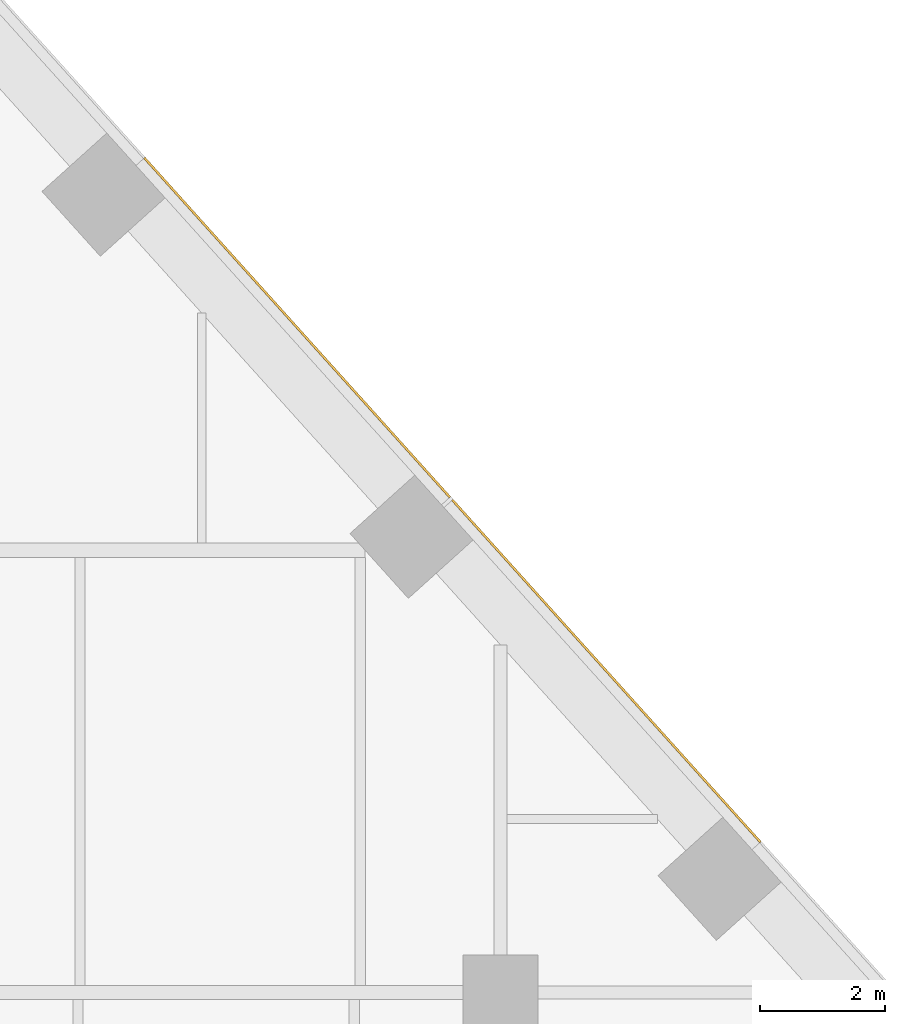
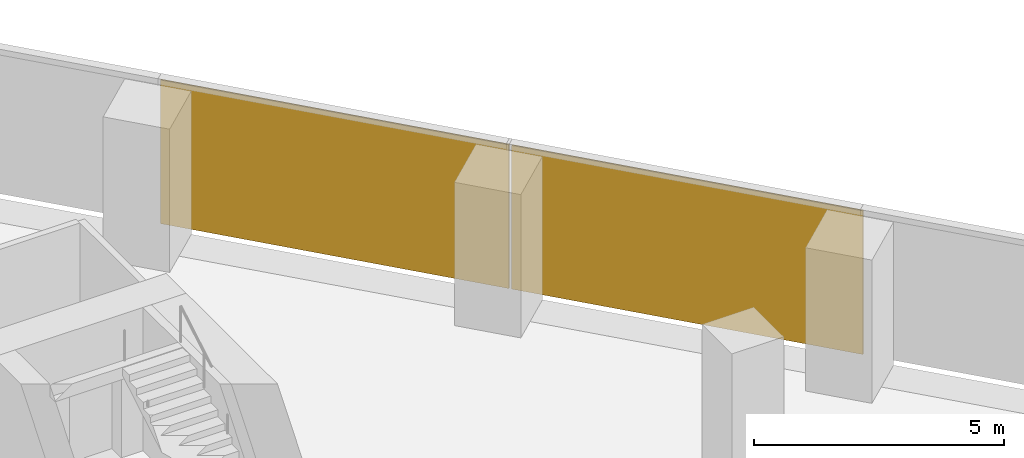
# One storey, part 16 of 16: 2 coverings, 1 element without a shape of its own.
"""IFC4 building model written with IfcOpenShell, lengths in metres."""

from ifc_helpers import new_model, si_unit, direction, frame, origin, origin_2d, place, context, subcontext, project, spatial, rectangle, extrude, material, layer, layer_set, type_object, element, aggregate, save


model = new_model("IFC4")

# Units and contexts
model_context = context("Model", 3, precision=1e-05, world=origin(), true_north=direction((0.0, 1.0)))
body_context = subcontext(model_context, "Body", "Model", "MODEL_VIEW")
ifc_project = project(units=[si_unit("LENGTHUNIT", "METRE"), si_unit("AREAUNIT", "SQUARE_METRE"), si_unit("VOLUMEUNIT", "CUBIC_METRE"), si_unit("PLANEANGLEUNIT", "RADIAN"), si_unit("MASSUNIT", "GRAM", prefix="KILO")], contexts=[model_context])

# Site, building, storey
site_placement = place(None, origin())
site = spatial("IfcSite", under=ifc_project, at=site_placement, CompositionType="ELEMENT")
building_placement = place(site_placement, origin())
building = spatial("IfcBuilding", under=site, at=building_placement, Name="Isthmus Gate Tower", CompositionType="ELEMENT")
storey_placement = place(building_placement, frame((0.0, 0.0, 155.35009765625)))
storey = spatial("IfcBuildingStorey", under=building, at=storey_placement, Name="L38", CompositionType="ELEMENT", Elevation=155.35009765625)

# Curtain wall, coverings
ifc_material_1 = material(Name="Aluminium, pale champagne anodised", Category="aluminium")
ifc_layer_1 = layer(ifc_material_1, 0.199951171875)
ifc_layer_set_1 = layer_set([ifc_layer_1], Name="CW-1 UNITISED CURTAIN WALL 200 DEEP")
curtain_wall_type = type_object("IfcCurtainWallType", Name="CW-1 UNITISED CURTAIN WALL 200 DEEP", PredefinedType="NOTDEFINED", material=ifc_layer_set_1)
curtain_wall_placement = place(storey_placement, origin())
curtain_wall = element("IfcCurtainWall", 1, at=curtain_wall_placement, inside=storey, type_object=curtain_wall_type, Name="CW-1 NE L38", PredefinedType="NOTDEFINED")
ifc_material_2 = material(Name="Aluminium composite panel, pale champagne anodised", Category="aluminium")
ifc_layer_2 = layer(ifc_material_2, 0.035888671875)
ifc_layer_set_2 = layer_set([ifc_layer_2], Name="CW-1 PALE METAL PANEL 36")
covering_type = type_object("IfcCoveringType", Name="CW-1 PALE METAL PANEL 36", PredefinedType="CLADDING", material=ifc_layer_set_2)
covering_1_placement = place(storey_placement, frame((25.70068359375, 12.659423828125, 0.0), z_axis=(0.0, 0.0, 1.0), x_axis=(-0.669130606359, 0.743144825477, 0.0)))
covering_1 = element("IfcCovering", 2, at=covering_1_placement, type_object=covering_type, Name="CW-1 pale metal panel", PredefinedType="CLADDING", context=body_context, shape_type="SweptSolid", body=[
    extrude(rectangle(XDim=7.390869140625, YDim=0.035888671875, at=origin_2d()), origin(), (0.0, 0.0, 1.0), 3.510009765625),
])
covering_2_placement = place(storey_placement, frame((20.735107421875, 18.17431640625, 0.0), z_axis=(0.0, 0.0, 1.0), x_axis=(-0.669130606359, 0.743144825477, 0.0)))
covering_2 = element("IfcCovering", 3, at=covering_2_placement, type_object=covering_type, Name="CW-1 pale metal panel", PredefinedType="CLADDING", context=body_context, shape_type="SweptSolid", body=[
    extrude(rectangle(XDim=7.330810546875, YDim=0.035888671875, at=origin_2d()), origin(), (0.0, 0.0, 1.0), 3.510009765625),
])
aggregate(curtain_wall, [covering_1, covering_2])

save(model, "model.ifc")
